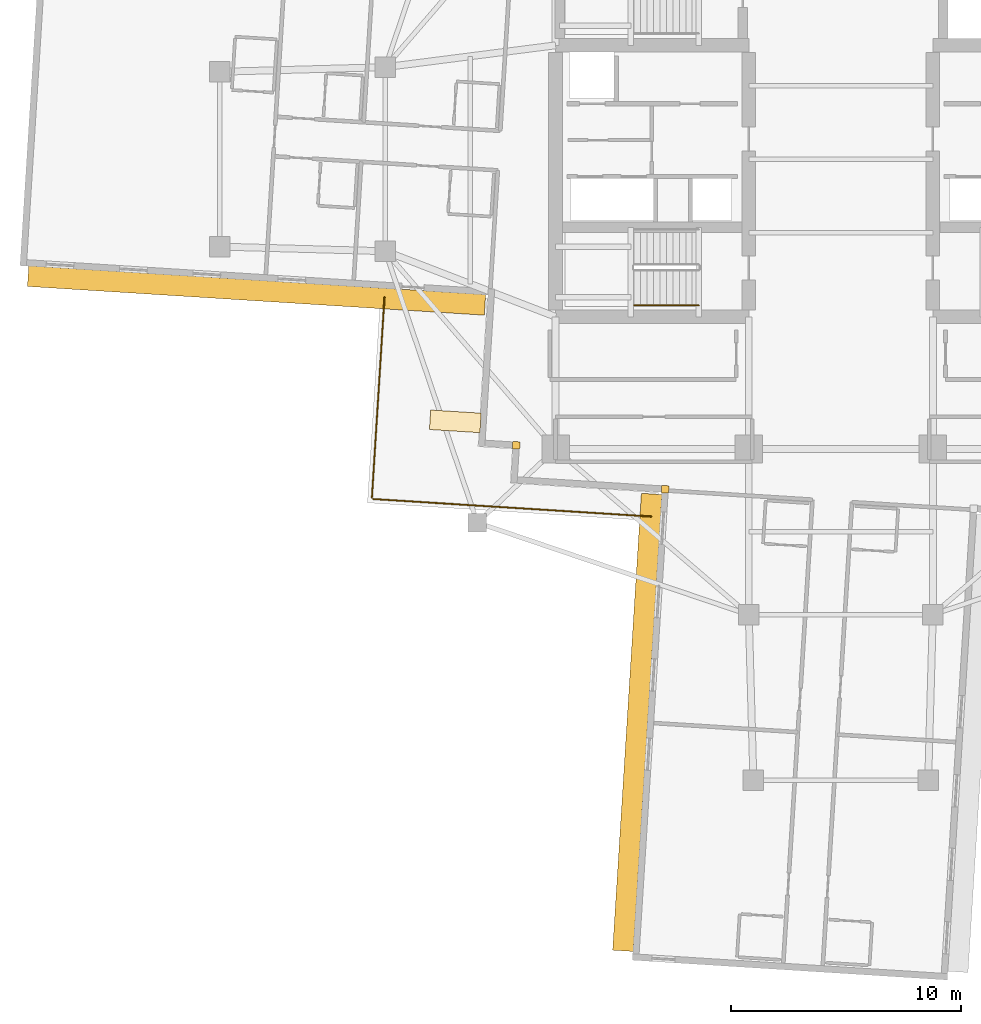
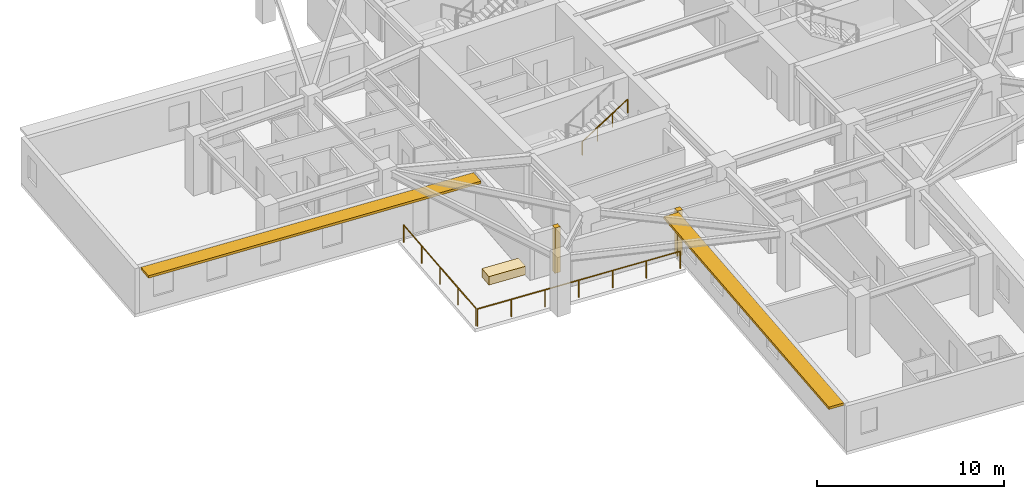
# One storey, part 10 of 14: 3 coverings, 3 railings, 2 shading devices.
"""IFC4 building model written with IfcOpenShell, lengths in metres."""

from ifc_helpers import new_model, si_unit, direction, frame, origin, origin_2d, place, context, subcontext, project, spatial, rectangle, circle, extrude, material, layer, layer_set, type_object, element, save


model = new_model("IFC4")

# Units and contexts
model_context = context("Model", 3, precision=1e-05, world=origin(), true_north=direction((0.0, 1.0)))
body_context = subcontext(model_context, "Body", "Model", "MODEL_VIEW")
ifc_project = project(units=[si_unit("LENGTHUNIT", "METRE"), si_unit("AREAUNIT", "SQUARE_METRE"), si_unit("VOLUMEUNIT", "CUBIC_METRE"), si_unit("PLANEANGLEUNIT", "RADIAN"), si_unit("MASSUNIT", "GRAM", prefix="KILO")], contexts=[model_context])

# Site, building, storey
site_placement = place(None, origin())
site = spatial("IfcSite", under=ifc_project, at=site_placement, CompositionType="ELEMENT")
building_placement = place(site_placement, origin())
building = spatial("IfcBuilding", under=site, at=building_placement, Name="Qingluan Cross Belvedere", CompositionType="ELEMENT")
storey_placement = place(building_placement, frame((0.0, 0.0, 160.5)))
storey = spatial("IfcBuildingStorey", under=building, at=storey_placement, Name="L40", CompositionType="ELEMENT", Elevation=160.5)

# Coverings
ifc_material_1 = material(Name="Precast concrete C45", Category="concrete")
ifc_layer_1 = layer(ifc_material_1, 0.1201171875, Name="ConcreteSpandrelCladding_120")
ifc_layer_set_1 = layer_set([ifc_layer_1], Name="Precast concrete C45")
covering_type_1 = type_object("IfcCoveringType", Name="ConcreteSpandrelCladding_120", PredefinedType="CLADDING", material=ifc_layer_set_1)
for number, where, z_axis, x_axis, name in (
    (1, (-14.10888671875, -12.438720703125, 0.0), (0.0, 0.0, 1.0), (0.998026728428, -0.062790519529, 0.0), "Corner closure L40-SW1"),
    (2, (-7.635986328125, -14.348876953125, 0.0), (0.0, 0.0, 1.0), (0.998026728428, -0.062790519529, 0.0), "Corner closure L40-SW2"),
):
    element("IfcCovering", number, at=place(storey_placement, frame(where, z_axis=z_axis, x_axis=x_axis)), inside=storey, type_object=covering_type_1, Name=name, PredefinedType="CLADDING", context=body_context, shape_type="SweptSolid", body=[
        extrude(rectangle(XDim=0.320068359375, YDim=0.320068359375, at=origin_2d()), origin(), (0.0, 0.0, 1.0), 2.969970703125),
    ])

# Shading devices
ifc_material_2 = material(Name="Precast concrete C45", Category="concrete")
ifc_layer_2 = layer(ifc_material_2, 0.159912109375, Name="ConcreteSunshadeBand_900")
ifc_layer_set_2 = layer_set([ifc_layer_2], Name="Precast concrete C45")
shading_device_type = type_object("IfcShadingDeviceType", Name="ConcreteSunshadeBand_900", PredefinedType="USERDEFINED", material=ifc_layer_set_2)
for number, where, z_axis, x_axis, name in (
    (3, (-25.3984375, -5.70654296875, 2.7900390625), (0.0, 0.0, 1.0), (0.998026999973, -0.062786203294, 0.0), "Concrete SUNSHADE L40-WB"),
    (4, (-8.8447265625, -24.48291015625, 2.7900390625), (0.0, 0.0, 1.0), (-0.062791158819, -0.998026688207, 0.0), "Concrete SUNSHADE L40-SA"),
):
    element("IfcShadingDevice", number, at=place(storey_placement, frame(where, z_axis=z_axis, x_axis=x_axis)), inside=storey, type_object=shading_device_type, Name=name, ObjectType="SUNSHADE", PredefinedType="USERDEFINED", context=body_context, shape_type="SweptSolid", body=[
        extrude(rectangle(XDim=19.89990234375, YDim=0.89990234375, at=origin_2d()), origin(), (0.0, 0.0, 1.0), 0.159912109375),
    ])

# Railings
ifc_material_3 = material(Name="Brushed stainless steel tubular handrail", Category="steel")
railing_type_1 = type_object("IfcRailingType", Name="StairPitchHandrail_900", PredefinedType="HANDRAIL", material=ifc_material_3)
railing_1_placement = place(storey_placement, frame((-8.97998046875, -6.35009765625, 2.127197265625)))
element("IfcRailing", 5, at=railing_1_placement, inside=storey, type_object=railing_type_1, Name="L40 ST1 stair handrail 2", PredefinedType="HANDRAIL", context=body_context, shape_type="SweptSolid", body=[
    extrude(circle(Radius=0.02392578125, at=origin_2d()), frame((0.0, 0.0, 0.8759765625), z_axis=(0.844908973607, 0.0, 0.534910110503), x_axis=(0.0, 1.0, 0.0)), (0.0, 0.0, 1.0), 3.31396484375),
    extrude(circle(Radius=0.02099609375, at=origin_2d()), origin(), (0.0, 0.0, 1.0), 0.851806640625),
    extrude(circle(Radius=0.02099609375, at=origin_2d()), frame((0.933349609375, 0.0, 0.5908203125)), (0.0, 0.0, 1.0), 0.851806640625),
    extrude(circle(Radius=0.02099609375, at=origin_2d()), frame((1.86669921875, 0.0, 1.181884765625)), (0.0, 0.0, 1.0), 0.851806640625),
    extrude(circle(Radius=0.02099609375, at=origin_2d()), frame((2.800048828125, 0.0, 1.772705078125)), (0.0, 0.0, 1.0), 0.851806640625),
])
ifc_material_4 = material(Name="Laminated glass and stainless steel balustrade", Category="steel")
railing_type_2 = type_object("IfcRailingType", Name="TerraceGuardBalustrade_1150", PredefinedType="BALUSTRADE", material=ifc_material_4)
railing_2_placement = place(storey_placement, frame((-8.231689453125, -15.53369140625, 0.0)))
element("IfcRailing", 6, at=railing_2_placement, inside=storey, type_object=railing_type_2, Name="Terrace guard L40-1", PredefinedType="BALUSTRADE", context=body_context, shape_type="SweptSolid", body=[
    extrude(circle(Radius=0.02392578125, at=origin_2d()), frame((0.0, 0.0, 1.1259765625), z_axis=(-0.998026863736, 0.062788368842, 0.0), x_axis=(-0.062788368842, -0.998026863736, 0.0)), (0.0, 0.0, 1.0), 12.119873046875),
    extrude(circle(Radius=0.02099609375, at=origin_2d()), origin(), (0.0, 0.0, 1.0), 1.101806640625),
    extrude(circle(Radius=0.02099609375, at=origin_2d()), frame((-2.01611328125, 0.126953125, 0.0)), (0.0, 0.0, 1.0), 1.101806640625),
    extrude(circle(Radius=0.02099609375, at=origin_2d()), frame((-4.031982421875, 0.253662109375, 0.0)), (0.0, 0.0, 1.0), 1.101806640625),
    extrude(circle(Radius=0.02099609375, at=origin_2d()), frame((-6.0478515625, 0.38037109375, 0.0)), (0.0, 0.0, 1.0), 1.101806640625),
    extrude(circle(Radius=0.02099609375, at=origin_2d()), frame((-8.06396484375, 0.50732421875, 0.0)), (0.0, 0.0, 1.0), 1.101806640625),
    extrude(circle(Radius=0.02099609375, at=origin_2d()), frame((-10.080078125, 0.63427734375, 0.0)), (0.0, 0.0, 1.0), 1.101806640625),
    extrude(circle(Radius=0.02099609375, at=origin_2d()), frame((-12.095947265625, 0.760986328125, 0.0)), (0.0, 0.0, 1.0), 1.101806640625),
])
railing_3_placement = place(storey_placement, frame((-20.3837890625, -14.708984375, 0.0)))
element("IfcRailing", 7, at=railing_3_placement, inside=storey, type_object=railing_type_2, Name="Terrace guard L40-2", PredefinedType="BALUSTRADE", context=body_context, shape_type="SweptSolid", body=[
    extrude(circle(Radius=0.02392578125, at=origin_2d()), frame((0.0, 0.0, 1.1259765625), z_axis=(0.062800106572, 0.998026125216, 0.0), x_axis=(-0.998026125216, 0.062800106572, 0.0)), (0.0, 0.0, 1.0), 8.7197265625),
    extrude(circle(Radius=0.02099609375, at=origin_2d()), origin(), (0.0, 0.0, 1.0), 1.101806640625),
    extrude(circle(Radius=0.02099609375, at=origin_2d()), frame((0.136962890625, 2.17578125, 0.0)), (0.0, 0.0, 1.0), 1.101806640625),
    extrude(circle(Radius=0.02099609375, at=origin_2d()), frame((0.27392578125, 4.351318359375, 0.0)), (0.0, 0.0, 1.0), 1.101806640625),
    extrude(circle(Radius=0.02099609375, at=origin_2d()), frame((0.41064453125, 6.52685546875, 0.0)), (0.0, 0.0, 1.0), 1.101806640625),
    extrude(circle(Radius=0.02099609375, at=origin_2d()), frame((0.547607421875, 8.70263671875, 0.0)), (0.0, 0.0, 1.0), 1.101806640625),
])

# Covering
ifc_material_5 = material(Name="Precast concrete C40", Category="concrete")
ifc_layer_3 = layer(ifc_material_5, 0.550048828125, Name="TerracePlanterBox")
ifc_layer_set_3 = layer_set([ifc_layer_3], Name="Precast concrete C40")
covering_type_2 = type_object("IfcCoveringType", Name="TerracePlanterBox", PredefinedType="USERDEFINED", material=ifc_layer_set_3)
covering_placement = place(storey_placement, frame((-16.758056640625, -11.39599609375, 0.0), z_axis=(0.0, 0.0, 1.0), x_axis=(0.998026728428, -0.062790519529, 0.0)))
element("IfcCovering", 8, at=covering_placement, inside=storey, type_object=covering_type_2, Name="Spiralling winter-garden planter L40", ObjectType="PLANTER", PredefinedType="USERDEFINED", context=body_context, shape_type="SweptSolid", body=[
    extrude(rectangle(XDim=2.199951171875, YDim=0.85009765625, at=origin_2d()), origin(), (0.0, 0.0, 1.0), 0.550048828125),
])

save(model, "model.ifc")
